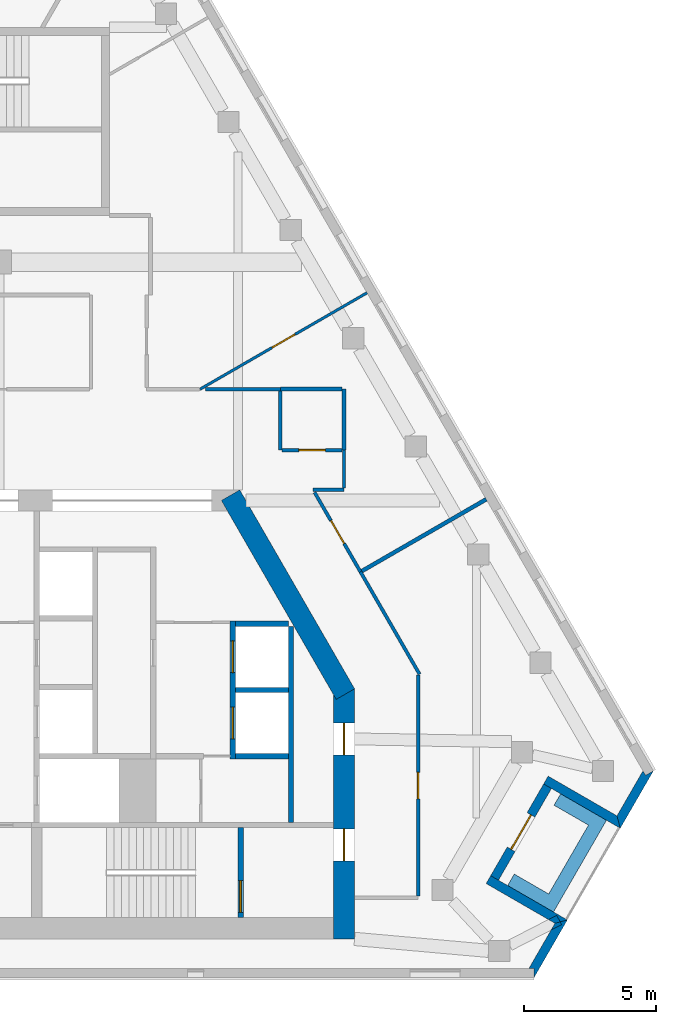
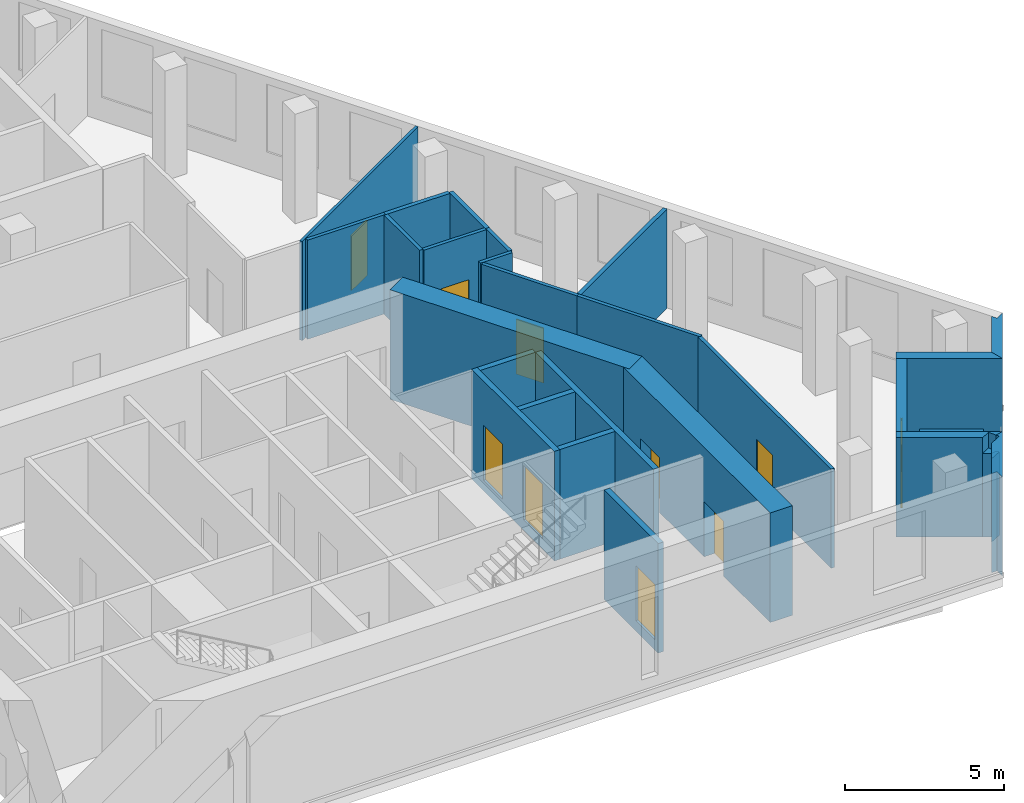
# One storey, part 5 of 8: 28 walls, 10 doors, 10 openings.
"""IFC4 building model written with IfcOpenShell, lengths in metres."""

import ifcopenshell
import ifcopenshell.guid

model = None  # the IFC model being written
_history = None  # IfcOwnerHistory: only IFC2X3 demands one
_inside = {}  # id of a spatial element -> (the spatial element, [elements in it])
_under = {}  # id of a project, library or spatial element -> (it, [spatial elements below it])
_declared = {}  # id of a project -> (the project, [libraries it declares])
_typed = {}  # id of a type object -> (the type object, [elements of that type])
_made_of = {}  # id of a material, layer set ... -> (it, [elements and type objects made of it])


def new_model(schema):
    """Start an empty IFC model of exactly this schema.

    Asked for "IFC4X3", IfcOpenShell would pick the latest addendum, in which some entities
    have other attributes; the version numbers below select the first issue.
    IFC2X3 requires an IfcOwnerHistory on every rooted entity: one is made here for all.
    """
    global model, _history
    if schema == "IFC4X3":
        model = ifcopenshell.file(schema_version=(4, 3, 0, 0))
    else:
        model = ifcopenshell.file(schema=schema)
    _inside.clear()
    _under.clear()
    _declared.clear()
    _typed.clear()
    _made_of.clear()
    _history = None
    if model.schema == "IFC2X3":
        org = make("IfcOrganization", Name="unknown")
        user = make(
            "IfcPersonAndOrganization",
            ThePerson=make("IfcPerson", FamilyName="unknown"),
            TheOrganization=org,
        )
        app = make(
            "IfcApplication",
            ApplicationDeveloper=org,
            Version="unknown",
            ApplicationFullName="unknown",
            ApplicationIdentifier="unknown",
        )
        _history = make(
            "IfcOwnerHistory",
            OwningUser=user,
            OwningApplication=app,
            ChangeAction="ADDED",
            CreationDate=0,
        )
    return model


def make(cls, **values):
    """One entity of the class cls with the attributes given. An attribute that is None is left unset."""
    return model.create_entity(
        cls, **{name: value for name, value in values.items() if value is not None}
    )


def rooted(cls, **values):
    """An entity with a GlobalId (a new one), such as an element, a storey or a relation."""
    return make(cls, GlobalId=ifcopenshell.guid.new(), OwnerHistory=_history, **values)


def si_unit(unit_type, name, prefix=None):
    """IfcSIUnit, for example si_unit("LENGTHUNIT", "METRE", prefix="MILLI")."""
    return make("IfcSIUnit", UnitType=unit_type, Prefix=prefix, Name=name)


def assignment(units):
    """IfcUnitAssignment: the units of a project."""
    return None if units is None else make("IfcUnitAssignment", Units=units)


def point(xyz):
    """IfcCartesianPoint."""
    return None if xyz is None else make("IfcCartesianPoint", Coordinates=xyz)


def direction(xyz):
    """IfcDirection."""
    return None if xyz is None else make("IfcDirection", DirectionRatios=xyz)


def frame(location, z_axis=None, x_axis=None):
    """IfcAxis2Placement3D, a coordinate frame: its origin and axes. An axis left out is left unset."""
    return make(
        "IfcAxis2Placement3D",
        Location=point(location),
        Axis=direction(z_axis),
        RefDirection=direction(x_axis),
    )


def frame_2d(location, x_axis=None):
    """IfcAxis2Placement2D, a coordinate frame in the plane: its origin and x axis."""
    return make(
        "IfcAxis2Placement2D", Location=point(location), RefDirection=direction(x_axis)
    )


def origin():
    """The frame at (0, 0, 0) with its axes left unset."""
    return frame((0.0, 0.0, 0.0))


def place(relative_to, where):
    """IfcLocalPlacement: puts the frame where relative to a parent placement (None: the world)."""
    return make(
        "IfcLocalPlacement", PlacementRelTo=relative_to, RelativePlacement=where
    )


def context(
    kind, dimensions, precision=None, world=None, true_north=None, identifier=None
):
    """IfcGeometricRepresentationContext, for example the 3D "Model" context."""
    return make(
        "IfcGeometricRepresentationContext",
        ContextIdentifier=identifier,
        ContextType=kind,
        CoordinateSpaceDimension=dimensions,
        Precision=precision,
        WorldCoordinateSystem=world,
        TrueNorth=true_north,
    )


def subcontext(parent, identifier, kind, view, scale=None):
    """IfcGeometricRepresentationSubContext, for example "Body" below "Model"."""
    return make(
        "IfcGeometricRepresentationSubContext",
        ContextIdentifier=identifier,
        ContextType=kind,
        ParentContext=parent,
        TargetScale=scale,
        TargetView=view,
    )


def project(units=None, contexts=None):
    """IfcProject with its units and contexts."""
    return rooted(
        "IfcProject",
        Name="project",
        RepresentationContexts=contexts,
        UnitsInContext=assignment(units),
    )


def spatial(cls, under=None, at=None, **own):
    """A site, building, storey or space (cls), placed at a placement, below another one or the project."""
    s = rooted(cls, ObjectPlacement=at, **own)
    if under is not None:
        _under.setdefault(under.id(), (under, []))[1].append(s)
    return s


def polyline(points):
    """IfcPolyline through the points."""
    return make("IfcPolyline", Points=[point(p) for p in points])


def profile(cls, at=None, kind="AREA", **sizes):
    """A parametric profile (cls). Its sizes go by their IFC names, for example OverallWidth=200.0."""
    return make(cls, ProfileType=kind, Position=at, **sizes)


def rectangle(**sizes):
    """IfcRectangleProfileDef."""
    return profile("IfcRectangleProfileDef", **sizes)


def outline(outer, holes=None, kind="AREA"):
    """IfcArbitraryClosedProfileDef: a profile drawn as a closed curve; with holes, ...WithVoids."""
    if holes is None:
        return make("IfcArbitraryClosedProfileDef", ProfileType=kind, OuterCurve=outer)
    return make(
        "IfcArbitraryProfileDefWithVoids",
        ProfileType=kind,
        OuterCurve=outer,
        InnerCurves=holes,
    )


def extrude(swept, where, along, depth):
    """IfcExtrudedAreaSolid: the profile swept, set in the frame where, extruded along a direction by depth."""
    return make(
        "IfcExtrudedAreaSolid",
        SweptArea=swept,
        Position=where,
        ExtrudedDirection=direction(along),
        Depth=depth,
    )


def shape(context_of_items, identifier, shape_type, items):
    """IfcShapeRepresentation: the items that make up one representation, for example the "Body"."""
    return make(
        "IfcShapeRepresentation",
        ContextOfItems=context_of_items,
        RepresentationIdentifier=identifier,
        RepresentationType=shape_type,
        Items=items,
    )


def material(Name=None, Category=None):
    """IfcMaterial."""
    return make("IfcMaterial", Name=Name, Category=Category)


def layer(
    of_material, thickness, ventilated=None, Name=None, Category=None, Priority=None
):
    """IfcMaterialLayer: one layer of a wall or slab, of a material (None: an air gap)."""
    return make(
        "IfcMaterialLayer",
        Material=of_material,
        LayerThickness=thickness,
        IsVentilated=ventilated,
        Name=Name,
        Category=Category,
        Priority=Priority,
    )


def layer_set(layers, Name=None):
    """IfcMaterialLayerSet."""
    return make("IfcMaterialLayerSet", MaterialLayers=layers, LayerSetName=Name)


def made_of(thing, what):
    """Note that an element or type object is made of a material, layer set ...; save() writes the relation."""
    if what is not None:
        _made_of.setdefault(what.id(), (what, []))[1].append(thing)
    return thing


def type_object(cls, material=None, **own):
    """A type object (cls), such as IfcWallType, which elements share."""
    return made_of(rooted(cls, **own), material)


def element(
    cls,
    number,
    at=None,
    inside=None,
    cuts=None,
    type_object=None,
    material=None,
    context=None,
    identifier="Body",
    shape_type=None,
    held_by="IfcProductDefinitionShape",
    body=None,
    shapes=None,
    **own,
):
    """One element of the class cls, such as IfcWall. Its Tag is "e" and its number.

    at: its placement. inside: the storey or other place that contains it. cuts: it is an
    opening in that element (IfcRelVoidsElement). A single representation is given by context,
    identifier, shape_type and body (its items); several are given by shapes. held_by: the class
    of the entity that holds the representations. save() writes the other relations.
    """
    e = rooted(cls, Tag="e%d" % number, ObjectPlacement=at, **own)
    if body is not None:
        shapes = [shape(context, identifier, shape_type, body)]
    if shapes is not None:
        e.Representation = make(held_by, Representations=shapes)
    if inside is not None:
        _inside.setdefault(inside.id(), (inside, []))[1].append(e)
    if cuts is not None:
        rooted(
            "IfcRelVoidsElement", RelatingBuildingElement=cuts, RelatedOpeningElement=e
        )
    if type_object is not None:
        _typed.setdefault(type_object.id(), (type_object, []))[1].append(e)
    return made_of(e, material)


def fill(opening, filler):
    """IfcRelFillsElement: the door or window that sits in an opening."""
    return rooted(
        "IfcRelFillsElement",
        RelatingOpeningElement=opening,
        RelatedBuildingElement=filler,
    )


def aggregate(whole, parts):
    """IfcRelAggregates: a whole, such as a stair, and the parts it consists of."""
    return rooted("IfcRelAggregates", RelatingObject=whole, RelatedObjects=parts)


def save(model, path):
    """Write the relations noted so far, then the file.

    IfcRelAggregates (storeys below a building ...), IfcRelContainedInSpatialStructure (elements
    in a storey), IfcRelDefinesByType, IfcRelAssociatesMaterial and IfcRelDeclares: one each for
    every whole, place, type object, material and project.
    """
    for whole, parts in _under.values():
        aggregate(whole, parts)
    for where, things in _inside.values():
        rooted(
            "IfcRelContainedInSpatialStructure",
            RelatedElements=things,
            RelatingStructure=where,
        )
    for kind, things in _typed.values():
        rooted("IfcRelDefinesByType", RelatedObjects=things, RelatingType=kind)
    for what, things in _made_of.values():
        rooted("IfcRelAssociatesMaterial", RelatedObjects=things, RelatingMaterial=what)
    for by, libraries in _declared.values():
        rooted("IfcRelDeclares", RelatingContext=by, RelatedDefinitions=libraries)
    model.write(path)


model = new_model("IFC4")

# Units and contexts
model_context = context("Model", 3, precision=1e-05, world=origin(), true_north=direction((0.0, 1.0)))
body_context = subcontext(model_context, "Body", "Model", "MODEL_VIEW")
ifc_project = project(units=[si_unit("LENGTHUNIT", "METRE"), si_unit("AREAUNIT", "SQUARE_METRE"), si_unit("VOLUMEUNIT", "CUBIC_METRE"), si_unit("PLANEANGLEUNIT", "RADIAN"), si_unit("MASSUNIT", "GRAM", prefix="KILO")], contexts=[model_context])

# Site, building, storey
site_placement = place(None, origin())
site = spatial("IfcSite", under=ifc_project, at=site_placement, CompositionType="ELEMENT")
building_placement = place(site_placement, origin())
building = spatial("IfcBuilding", under=site, at=building_placement, Name="Fogline Exchange Tower", CompositionType="ELEMENT")
storey_placement = place(building_placement, frame((0.0, 0.0, 314.10009765625)))
storey = spatial("IfcBuildingStorey", under=building, at=storey_placement, Name="L71", CompositionType="ELEMENT", Elevation=314.10009765625)

# Wall
ifc_material_1 = material(Name="Concrete C40", Category="concrete")
ifc_layer_1 = layer(ifc_material_1, 0.199951171875)
ifc_layer_set_1 = layer_set([ifc_layer_1], Name="CW20")
wall_type_1 = type_object("IfcWallType", Name="CW20", PredefinedType="SOLIDWALL", material=ifc_layer_set_1)
wall_1_placement = place(storey_placement, frame((11.0, 5.85009765625, 0.0), z_axis=(0.0, 0.0, 1.0), x_axis=(0.0, 1.0, 0.0)))
element("IfcWall", 1, at=wall_1_placement, inside=storey, type_object=wall_type_1, Name="Service room wall", PredefinedType="SOLIDWALL", context=body_context, shape_type="SweptSolid", body=[
    extrude(rectangle(XDim=7.39990234375, YDim=0.199951171875, at=frame_2d((3.699951171875, 0.0))), origin(), (0.0, 0.0, 1.0), 3.7998046875),
])

# Wall, opening, door
ifc_layer_2 = layer(ifc_material_1, 0.199951171875)
ifc_layer_set_2 = layer_set([ifc_layer_2], Name="CW20R")
wall_type_2 = type_object("IfcWallType", Name="CW20R", PredefinedType="SOLIDWALL", material=ifc_layer_set_2)
wall_2_placement = place(storey_placement, frame((9.10009765625, 2.25, -0.400146484375), z_axis=(0.0, 0.0, 1.0), x_axis=(0.0, 1.0, 0.0)))
wall_2 = element("IfcWall", 2, at=wall_2_placement, inside=storey, type_object=wall_type_2, Name="Stair enclosure wall", PredefinedType="SOLIDWALL", context=body_context, shape_type="SweptSolid", body=[
    extrude(rectangle(XDim=3.39990234375, YDim=0.199951171875, at=frame_2d((1.699951171875, 0.0))), origin(), (0.0, 0.0, 1.0), 4.199951171875),
])
opening_1_placement = place(wall_2_placement, frame((0.199951171875, 0.0, 0.39990234375)))
opening_1 = element("IfcOpeningElement", 3, at=opening_1_placement, cuts=wall_2, Name="Opening T22-C016", PredefinedType="OPENING", context=body_context, shape_type="SweptSolid", body=[
    extrude(rectangle(XDim=1.199951171875, YDim=2.10009765625, at=frame_2d((0.60009765625, 1.050048828125))), frame((0.0, 0.10986328125, 0.0), z_axis=(0.0, -1.0, 0.0), x_axis=(1.0, 0.0, 0.0)), (0.0, 0.0, 1.0), 0.219970703125),
])
ifc_material_2 = material(Name="Steel and timber fire door", Category="steel")
door_type_1 = type_object("IfcDoorType", Name="D-ST1", OperationType="SINGLE_SWING_LEFT", PredefinedType="DOOR", material=ifc_material_2)
door_1_placement = place(opening_1_placement, origin())
door_1 = element("IfcDoor", 4, at=door_1_placement, inside=storey, type_object=door_type_1, Name="Stair door ST2", OperationType="SINGLE_SWING_LEFT", OverallHeight=2.10009765625, OverallWidth=1.199951171875, PredefinedType="DOOR", context=body_context, shape_type="SweptSolid", body=[
    extrude(rectangle(XDim=1.199951171875, YDim=2.10009765625, at=frame_2d((0.60009765625, 1.050048828125))), frame((0.0, 0.02490234375, 0.0), z_axis=(0.0, -1.0, 0.0), x_axis=(1.0, 0.0, 0.0)), (0.0, 0.0, 1.0), 0.050048828125),
])
fill(opening_1, door_1)

# Wall, openings, doors
ifc_layer_3 = layer(ifc_material_1, 0.199951171875)
ifc_layer_set_3 = layer_set([ifc_layer_3], Name="CW20S")
wall_type_3 = type_object("IfcWallType", Name="CW20S", PredefinedType="SOLIDWALL", material=ifc_layer_set_3)
wall_3_placement = place(storey_placement, frame((8.800048828125, 8.25, -0.400146484375), z_axis=(0.0, 0.0, 1.0), x_axis=(0.0, 1.0, 0.0)))
wall_3 = element("IfcWall", 5, at=wall_3_placement, inside=storey, type_object=wall_type_3, Name="Lift shaft wall", PredefinedType="SOLIDWALL", context=body_context, shape_type="SweptSolid", body=[
    extrude(rectangle(XDim=5.199951171875, YDim=0.199951171875, at=frame_2d((2.60009765625, 0.0))), origin(), (0.0, 0.0, 1.0), 4.199951171875),
])
opening_2_placement = place(wall_3_placement, frame((0.75, 0.0, 0.39990234375)))
opening_2 = element("IfcOpeningElement", 6, at=opening_2_placement, cuts=wall_3, Name="Opening T22-LD02", PredefinedType="OPENING", context=body_context, shape_type="SweptSolid", body=[
    extrude(rectangle(XDim=1.199951171875, YDim=2.10009765625, at=frame_2d((0.60009765625, 1.050048828125))), frame((0.0, 0.10986328125, 0.0), z_axis=(0.0, -1.0, 0.0), x_axis=(1.0, 0.0, 0.0)), (0.0, 0.0, 1.0), 0.219970703125),
])
opening_3_placement = place(wall_3_placement, frame((3.25, 0.0, 0.39990234375)))
opening_3 = element("IfcOpeningElement", 7, at=opening_3_placement, cuts=wall_3, Name="Opening T22-LD03", PredefinedType="OPENING", context=body_context, shape_type="SweptSolid", body=[
    extrude(rectangle(XDim=1.199951171875, YDim=2.10009765625, at=frame_2d((0.60009765625, 1.050048828125))), frame((0.0, 0.10986328125, 0.0), z_axis=(0.0, -1.0, 0.0), x_axis=(1.0, 0.0, 0.0)), (0.0, 0.0, 1.0), 0.219970703125),
])
door_type_2 = type_object("IfcDoorType", Name="LD1", OperationType="SLIDING_TO_LEFT", PredefinedType="DOOR", material=ifc_material_2)
door_2_placement = place(opening_2_placement, origin())
door_2 = element("IfcDoor", 8, at=door_2_placement, inside=storey, type_object=door_type_2, Name="Landing door HR1", OperationType="SLIDING_TO_LEFT", OverallHeight=2.10009765625, OverallWidth=1.199951171875, PredefinedType="DOOR", context=body_context, shape_type="SweptSolid", body=[
    extrude(rectangle(XDim=1.199951171875, YDim=2.10009765625, at=frame_2d((0.60009765625, 1.050048828125))), frame((0.0, 0.02490234375, 0.0), z_axis=(0.0, -1.0, 0.0), x_axis=(1.0, 0.0, 0.0)), (0.0, 0.0, 1.0), 0.050048828125),
])
fill(opening_2, door_2)
door_3_placement = place(opening_3_placement, origin())
door_3 = element("IfcDoor", 9, at=door_3_placement, inside=storey, type_object=door_type_2, Name="Landing door HR2", OperationType="SLIDING_TO_LEFT", OverallHeight=2.10009765625, OverallWidth=1.199951171875, PredefinedType="DOOR", context=body_context, shape_type="SweptSolid", body=[
    extrude(rectangle(XDim=1.199951171875, YDim=2.10009765625, at=frame_2d((0.60009765625, 1.050048828125))), frame((0.0, 0.02490234375, 0.0), z_axis=(0.0, -1.0, 0.0), x_axis=(1.0, 0.0, 0.0)), (0.0, 0.0, 1.0), 0.050048828125),
])
fill(opening_3, door_3)

# Walls
for number, where, z_axis, x_axis, name in (
    (10, (8.89990234375, 8.35009765625, -0.400146484375), (0.0, 0.0, 1.0), (1.0, 0.0, 0.0), "Lift shaft wall"),
    (11, (8.89990234375, 10.85009765625, -0.400146484375), (0.0, 0.0, 1.0), (1.0, 0.0, 0.0), "Lift shaft wall"),
    (12, (8.89990234375, 13.35009765625, -0.400146484375), (0.0, 0.0, 1.0), (1.0, 0.0, 0.0), "Lift shaft wall"),
):
    element("IfcWall", number, at=place(storey_placement, frame(where, z_axis=z_axis, x_axis=x_axis)), inside=storey, type_object=wall_type_3, Name=name, PredefinedType="SOLIDWALL", context=body_context, shape_type="SweptSolid", body=[
        extrude(rectangle(XDim=2.0, YDim=0.199951171875, at=frame_2d((1.0, 0.0))), origin(), (0.0, 0.0, 1.0), 4.199951171875),
    ])
ifc_material_3 = material(Name="Brick masonry", Category="masonry")
ifc_layer_4 = layer(ifc_material_3, 0.340087890625)
ifc_layer_set_4 = layer_set([ifc_layer_4], Name="FW1")
wall_type_4 = type_object("IfcWallType", Name="FW1", PredefinedType="SOLIDWALL", material=ifc_layer_set_4)
wall_4_placement = place(storey_placement, origin())
element("IfcWall", 13, at=wall_4_placement, inside=storey, type_object=wall_type_4, Name="Brick wall L71 SE-c1", PredefinedType="SOLIDWALL", context=body_context, shape_type="SweptSolid", body=[
    extrude(outline(polyline([(20.96484375, 2.041015625), (21.158935546875, 2.093017578125), (21.213134765625, 1.987548828125), (20.81591796875, 1.782958984375), (20.96484375, 2.041015625)])), origin(), (0.0, 0.0, 1.0), 3.199951171875),
])
wall_5_placement = place(storey_placement, origin())
element("IfcWall", 14, at=wall_5_placement, inside=storey, type_object=wall_type_4, Name="Brick wall L71 SE-c1", PredefinedType="SOLIDWALL", context=body_context, shape_type="SweptSolid", body=[
    extrude(outline(polyline([(20.1796875, -0.001220703125), (20.17919921875, -0.0009765625), (20.17919921875, 0.33935546875), (19.982421875, 0.33935546875), (20.81591796875, 1.782958984375), (21.213134765625, 1.987548828125), (21.158935546875, 2.093017578125), (21.4306640625, 2.166015625), (21.430908203125, 2.165771484375), (20.1796875, -0.001220703125)])), origin(), (0.0, 0.0, 1.0), 3.7998046875),
])
wall_6_placement = place(storey_placement, origin())
element("IfcWall", 15, at=wall_6_placement, inside=storey, type_object=wall_type_4, Name="Brick wall L71 SE-s1", PredefinedType="SOLIDWALL", context=body_context, shape_type="SweptSolid", body=[
    extrude(outline(polyline([(20.96533203125, 2.0400390625), (20.71826171875, 2.1826171875), (21.0302734375, 2.343017578125), (21.159423828125, 2.092041015625), (20.96533203125, 2.0400390625)])), origin(), (0.0, 0.0, 1.0), 3.199951171875),
])
wall_7_placement = place(storey_placement, origin())
element("IfcWall", 16, at=wall_7_placement, inside=storey, type_object=wall_type_4, Name="Brick wall L71 SE-s1", PredefinedType="SOLIDWALL", context=body_context, shape_type="SweptSolid", body=[
    extrude(outline(polyline([(18.537109375, 3.8359375), (18.83203125, 3.66552734375), (21.430908203125, 2.1650390625), (21.430908203125, 2.164794921875), (21.159423828125, 2.092041015625), (21.0302734375, 2.343017578125), (20.71826171875, 2.1826171875), (18.366455078125, 3.540283203125), (18.537109375, 3.8359375)])), origin(), (0.0, 0.0, 1.0), 3.7998046875),
])

# Wall, opening, door
wall_8_placement = place(storey_placement, frame((18.6845703125, 3.75, 0.0), z_axis=(0.0, 0.0, 1.0), x_axis=(0.49999894854, 0.866026010844, 0.0)))
wall_8 = element("IfcWall", 17, at=wall_8_placement, inside=storey, type_object=wall_type_4, Name="Brick wall L71 SE-bk", PredefinedType="SOLIDWALL", context=body_context, shape_type="SweptSolid", body=[
    extrude(rectangle(XDim=4.0, YDim=0.340087890625, at=frame_2d((2.0, 0.0))), origin(), (0.0, 0.0, 1.0), 3.7998046875),
])
opening_4_placement = place(wall_8_placement, frame((1.25, 0.0, 0.0)))
opening_4 = element("IfcOpeningElement", 18, at=opening_4_placement, cuts=wall_8, Name="Opening T22-E081", PredefinedType="OPENING", context=body_context, shape_type="SweptSolid", body=[
    extrude(rectangle(XDim=1.5, YDim=2.39990234375, at=frame_2d((0.75, 1.199951171875))), frame((0.0, 0.18017578125, 0.0), z_axis=(0.0, -1.0, 0.0), x_axis=(1.0, 0.0, 0.0)), (0.0, 0.0, 1.0), 0.360107421875),
])
ifc_material_4 = material(Name="Aluminium and glass", Category="aluminium")
door_type_3 = type_object("IfcDoorType", Name="ED4", OperationType="SINGLE_SWING_LEFT", PredefinedType="DOOR", material=ifc_material_4)
door_4_placement = place(opening_4_placement, frame((1.5, 0.0, 0.0), z_axis=(0.0, 0.0, 1.0), x_axis=(-1.0, 0.0, 0.0)))
door_4 = element("IfcDoor", 19, at=door_4_placement, inside=storey, type_object=door_type_3, Name="Balcony door L71 SE", OperationType="DOUBLE_DOOR_SINGLE_SWING", OverallHeight=2.39990234375, OverallWidth=1.5, PredefinedType="DOOR", context=body_context, shape_type="SweptSolid", body=[
    extrude(rectangle(XDim=1.5, YDim=2.39990234375, at=frame_2d((0.75, 1.199951171875))), frame((0.0, 0.02490234375, 0.0), z_axis=(0.0, -1.0, 0.0), x_axis=(1.0, 0.0, 0.0)), (0.0, 0.0, 1.0), 0.050048828125),
])
fill(opening_4, door_4)

# Walls
wall_9_placement = place(storey_placement, origin())
element("IfcWall", 20, at=wall_9_placement, inside=storey, type_object=wall_type_4, Name="Brick wall L71 SE-s2", PredefinedType="SOLIDWALL", context=body_context, shape_type="SweptSolid", body=[
    extrude(outline(polyline([(23.430419921875, 5.628173828125), (20.831298828125, 7.128662109375), (20.536376953125, 7.298828125), (20.70703125, 7.594482421875), (23.305908203125, 6.093994140625), (23.4306640625, 5.62841796875), (23.430419921875, 5.628173828125)])), origin(), (0.0, 0.0, 1.0), 3.7998046875),
])
wall_10_placement = place(storey_placement, origin())
element("IfcWall", 21, at=wall_10_placement, inside=storey, type_object=wall_type_4, Name="Brick wall L71 SE-c2", PredefinedType="SOLIDWALL", context=body_context, shape_type="SweptSolid", body=[
    extrude(outline(polyline([(24.287109375, 7.79541015625), (24.385498046875, 7.625), (24.680419921875, 7.79541015625), (24.680908203125, 7.794921875), (23.4296875, 5.6279296875), (23.429443359375, 5.6279296875), (23.3046875, 6.09375), (24.287109375, 7.79541015625)])), origin(), (0.0, 0.0, 1.0), 3.7998046875),
])
ifc_material_5 = material(Name="Concrete C30", Category="concrete")
ifc_layer_5 = layer(ifc_material_5, 0.199951171875)
ifc_layer_set_5 = layer_set([ifc_layer_5], Name="PL1")
wall_type_5 = type_object("IfcWallType", Name="PL1", PredefinedType="USERDEFINED", material=ifc_layer_set_5)
wall_11_placement = place(storey_placement, origin())
element("IfcWall", 22, at=wall_11_placement, inside=storey, type_object=wall_type_5, Name="PLANTER balcony L71 SE", ObjectType="PLANTER", PredefinedType="USERDEFINED", context=body_context, shape_type="SweptSolid", body=[
    extrude(outline(polyline([(19.177978515625, 3.465087890625), (20.477294921875, 2.715087890625), (20.477294921875, 2.715087890625), (20.91015625, 2.465087890625), (22.66015625, 5.49609375), (22.91015625, 5.92919921875), (21.177978515625, 6.92919921875), (20.927978515625, 6.49609375), (22.227294921875, 5.74609375), (20.727294921875, 3.148193359375), (19.427978515625, 3.898193359375), (19.177978515625, 3.465087890625)])), origin(), (0.0, 0.0, 1.0), 1.099853515625),
])

# Wall, opening, door
ifc_material_6 = material(Name="Plasterboard partition, 2 layers each side on steel studs", Category="steel")
ifc_layer_6 = layer(ifc_material_6, 0.10009765625)
ifc_layer_set_6 = layer_set([ifc_layer_6], Name="PW1")
wall_type_6 = type_object("IfcWallType", Name="PW1", PredefinedType="PARTITIONING", material=ifc_layer_set_6)
wall_12_placement = place(storey_placement, frame((7.56640625, 22.199951171875, 0.0), z_axis=(0.0, 0.0, 1.0), x_axis=(0.866023581503, 0.500003156271, 0.0)))
wall_12 = element("IfcWall", 23, at=wall_12_placement, inside=storey, type_object=wall_type_6, Name="wall-L71-W028", PredefinedType="PARTITIONING", context=body_context, shape_type="SweptSolid", body=[
    extrude(rectangle(XDim=7.27783203125, YDim=0.10009765625, at=frame_2d((3.638916015625, 0.0))), origin(), (0.0, 0.0, 1.0), 3.7998046875),
])
opening_5_placement = place(wall_12_placement, frame((3.138916015625, 0.0, 0.0)))
opening_5 = element("IfcOpeningElement", 24, at=opening_5_placement, cuts=wall_12, Name="Opening T22-D008", PredefinedType="OPENING", context=body_context, shape_type="SweptSolid", body=[
    extrude(rectangle(XDim=1.0, YDim=2.10009765625, at=frame_2d((0.5, 1.050048828125))), frame((0.0, 0.06005859375, 0.0), z_axis=(0.0, -1.0, 0.0), x_axis=(1.0, 0.0, 0.0)), (0.0, 0.0, 1.0), 0.1201171875),
])
ifc_material_7 = material(Name="Timber door leaf with steel frame", Category="steel")
door_type_4 = type_object("IfcDoorType", Name="D1", OperationType="SINGLE_SWING_LEFT", PredefinedType="DOOR", material=ifc_material_7)
door_5_placement = place(opening_5_placement, frame((1.0, 0.0, 0.0), z_axis=(0.0, 0.0, 1.0), x_axis=(-1.0, 0.0, 0.0)))
door_5 = element("IfcDoor", 25, at=door_5_placement, inside=storey, type_object=door_type_4, Name="door-L71-D008", OperationType="SINGLE_SWING_RIGHT", OverallHeight=2.10009765625, OverallWidth=1.0, PredefinedType="DOOR", context=body_context, shape_type="SweptSolid", body=[
    extrude(rectangle(XDim=1.0, YDim=2.10009765625, at=frame_2d((0.5, 1.050048828125))), frame((0.0, 0.02490234375, 0.0), z_axis=(0.0, -1.0, 0.0), x_axis=(1.0, 0.0, 0.0)), (0.0, 0.0, 1.0), 0.050048828125),
])
fill(opening_5, door_5)

ifc_material_8 = material(Name="Plasterboard corridor partition with mineral wool, 2 layers each side")
ifc_layer_7 = layer(ifc_material_8, 0.125)
ifc_layer_set_7 = layer_set([ifc_layer_7], Name="PW2")
wall_type_7 = type_object("IfcWallType", Name="PW2", PredefinedType="PARTITIONING", material=ifc_layer_set_7)
wall_13_placement = place(storey_placement, frame((11.890869140625, 18.305908203125, 0.0), z_axis=(0.0, 0.0, 1.0), x_axis=(0.499980616072, -0.866036594811, 0.0)))
wall_13 = element("IfcWall", 26, at=wall_13_placement, inside=storey, type_object=wall_type_7, Name="wall-L71-W001", PredefinedType="PARTITIONING", context=body_context, shape_type="SweptSolid", body=[
    extrude(rectangle(XDim=3.465576171875, YDim=0.125, at=frame_2d((1.73291015625, 0.0))), origin(), (0.0, 0.0, 1.0), 3.7998046875),
])
opening_6_placement = place(wall_13_placement, frame((1.232666015625, 0.0, 0.0)))
opening_6 = element("IfcOpeningElement", 27, at=opening_6_placement, cuts=wall_13, Name="Opening T22-D001", PredefinedType="OPENING", context=body_context, shape_type="SweptSolid", body=[
    extrude(rectangle(XDim=1.0, YDim=2.10009765625, at=frame_2d((0.5, 1.050048828125))), frame((0.0, 0.072509765625, 0.0), z_axis=(0.0, -1.0, 0.0), x_axis=(1.0, 0.0, 0.0)), (0.0, 0.0, 1.0), 0.14501953125),
])
ifc_material_9 = material(Name="Fire-rated timber door leaf with steel frame", Category="steel")
door_type_5 = type_object("IfcDoorType", Name="D3", OperationType="SINGLE_SWING_LEFT", PredefinedType="DOOR", material=ifc_material_9)
door_6_placement = place(opening_6_placement, origin())
door_6 = element("IfcDoor", 28, at=door_6_placement, inside=storey, type_object=door_type_5, Name="door-L71-D001", OperationType="SINGLE_SWING_LEFT", OverallHeight=2.10009765625, OverallWidth=1.0, PredefinedType="DOOR", context=body_context, shape_type="SweptSolid", body=[
    extrude(rectangle(XDim=1.0, YDim=2.10009765625, at=frame_2d((0.5, 1.050048828125))), frame((0.0, 0.02490234375, 0.0), z_axis=(0.0, -1.0, 0.0), x_axis=(1.0, 0.0, 0.0)), (0.0, 0.0, 1.0), 0.050048828125),
])
fill(opening_6, door_6)

# Wall
wall_14_placement = place(storey_placement, frame((13.62353515625, 15.3046875, 0.0), z_axis=(0.0, 0.0, 1.0), x_axis=(0.499994034198, -0.866028848114, 0.0)))
element("IfcWall", 29, at=wall_14_placement, inside=storey, type_object=wall_type_7, Name="wall-L71-W002", PredefinedType="PARTITIONING", context=body_context, shape_type="SweptSolid", body=[
    extrude(rectangle(XDim=4.46142578125, YDim=0.125, at=frame_2d((2.230712890625, 0.0))), origin(), (0.0, 0.0, 1.0), 3.7998046875),
])

# Wall, opening, door
wall_15_placement = place(storey_placement, frame((15.800048828125, 11.409912109375, 0.0), z_axis=(0.0, 0.0, 1.0), x_axis=(0.0, -1.0, 0.0)))
wall_15 = element("IfcWall", 30, at=wall_15_placement, inside=storey, type_object=wall_type_7, Name="wall-L71-W003", PredefinedType="PARTITIONING", context=body_context, shape_type="SweptSolid", body=[
    extrude(rectangle(XDim=8.347412109375, YDim=0.125, at=frame_2d((4.173828125, 0.0))), origin(), (0.0, 0.0, 1.0), 3.7998046875),
])
opening_7_placement = place(wall_15_placement, frame((3.673583984375, 0.0, 0.0)))
opening_7 = element("IfcOpeningElement", 31, at=opening_7_placement, cuts=wall_15, Name="Opening T22-D002", PredefinedType="OPENING", context=body_context, shape_type="SweptSolid", body=[
    extrude(rectangle(XDim=1.0, YDim=2.10009765625, at=frame_2d((0.5, 1.050048828125))), frame((0.0, 0.072509765625, 0.0), z_axis=(0.0, -1.0, 0.0), x_axis=(1.0, 0.0, 0.0)), (0.0, 0.0, 1.0), 0.14501953125),
])
door_7_placement = place(opening_7_placement, origin())
door_7 = element("IfcDoor", 32, at=door_7_placement, inside=storey, type_object=door_type_5, Name="door-L71-D002", OperationType="SINGLE_SWING_RIGHT", OverallHeight=2.10009765625, OverallWidth=1.0, PredefinedType="DOOR", context=body_context, shape_type="SweptSolid", body=[
    extrude(rectangle(XDim=1.0, YDim=2.10009765625, at=frame_2d((0.5, 1.050048828125))), frame((0.0, 0.02490234375, 0.0), z_axis=(0.0, -1.0, 0.0), x_axis=(1.0, 0.0, 0.0)), (0.0, 0.0, 1.0), 0.050048828125),
])
fill(opening_7, door_7)

# Walls
wall_16_placement = place(storey_placement, frame((7.775146484375, 22.199951171875, 0.0), z_axis=(0.0, 0.0, 1.0), x_axis=(1.0, 0.0, 0.0)))
element("IfcWall", 33, at=wall_16_placement, inside=storey, type_object=wall_type_7, Name="wall-L71-W005", PredefinedType="PARTITIONING", context=body_context, shape_type="SweptSolid", body=[
    extrude(rectangle(XDim=2.824951171875, YDim=0.125, at=frame_2d((1.41259765625, 0.0))), origin(), (0.0, 0.0, 1.0), 3.7998046875),
])
wall_17_placement = place(storey_placement, frame((13.0, 19.89990234375, 0.0), z_axis=(0.0, 0.0, 1.0), x_axis=(0.0, -1.0, 0.0)))
element("IfcWall", 34, at=wall_17_placement, inside=storey, type_object=wall_type_7, Name="wall-L71-W006", PredefinedType="PARTITIONING", context=body_context, shape_type="SweptSolid", body=[
    extrude(rectangle(XDim=1.4375, YDim=0.125, at=frame_2d((0.71875, 0.0))), origin(), (0.0, 0.0, 1.0), 3.7998046875),
])
wall_18_placement = place(storey_placement, frame((13.0, 18.39990234375, 0.0), z_axis=(0.0, 0.0, 1.0), x_axis=(-1.0, 0.0, 0.0)))
element("IfcWall", 35, at=wall_18_placement, inside=storey, type_object=wall_type_7, Name="wall-L71-W007", PredefinedType="PARTITIONING", context=body_context, shape_type="SweptSolid", body=[
    extrude(rectangle(XDim=1.16357421875, YDim=0.125, at=frame_2d((0.581787109375, 0.0))), origin(), (0.0, 0.0, 1.0), 3.7998046875),
])
wall_19_placement = place(storey_placement, frame((10.60009765625, 22.12451171875, 0.0), z_axis=(0.0, 0.0, 1.0), x_axis=(0.0, -1.0, 0.0)))
element("IfcWall", 36, at=wall_19_placement, inside=storey, type_object=wall_type_7, Name="wall-L71-W008", PredefinedType="PARTITIONING", context=body_context, shape_type="SweptSolid", body=[
    extrude(rectangle(XDim=2.224609375, YDim=0.125, at=frame_2d((1.1123046875, 0.0))), origin(), (0.0, 0.0, 1.0), 3.7998046875),
])

# Wall, opening, door
wall_20_placement = place(storey_placement, frame((10.66259765625, 19.89990234375, 0.0), z_axis=(0.0, 0.0, 1.0), x_axis=(1.0, 0.0, 0.0)))
wall_20 = element("IfcWall", 37, at=wall_20_placement, inside=storey, type_object=wall_type_7, Name="wall-L71-W009", PredefinedType="PARTITIONING", context=body_context, shape_type="SweptSolid", body=[
    extrude(rectangle(XDim=2.262451171875, YDim=0.125, at=frame_2d((1.13134765625, 0.0))), origin(), (0.0, 0.0, 1.0), 3.7998046875),
])
opening_8_placement = place(wall_20_placement, frame((0.63134765625, 0.0, 0.0)))
opening_8 = element("IfcOpeningElement", 38, at=opening_8_placement, cuts=wall_20, Name="Opening T22-D003", PredefinedType="OPENING", context=body_context, shape_type="SweptSolid", body=[
    extrude(rectangle(XDim=1.0, YDim=2.10009765625, at=frame_2d((0.5, 1.050048828125))), frame((0.0, 0.072509765625, 0.0), z_axis=(0.0, -1.0, 0.0), x_axis=(1.0, 0.0, 0.0)), (0.0, 0.0, 1.0), 0.14501953125),
])
door_8_placement = place(opening_8_placement, origin())
door_8 = element("IfcDoor", 39, at=door_8_placement, inside=storey, type_object=door_type_5, Name="door-L71-D003", OperationType="SINGLE_SWING_LEFT", OverallHeight=2.10009765625, OverallWidth=1.0, PredefinedType="DOOR", context=body_context, shape_type="SweptSolid", body=[
    extrude(rectangle(XDim=1.0, YDim=2.10009765625, at=frame_2d((0.5, 1.050048828125))), frame((0.0, 0.02490234375, 0.0), z_axis=(0.0, -1.0, 0.0), x_axis=(1.0, 0.0, 0.0)), (0.0, 0.0, 1.0), 0.050048828125),
])
fill(opening_8, door_8)

# Walls
ifc_material_10 = material(Name="Plasterboard demising partition with mineral wool and acoustic board")
ifc_layer_8 = layer(ifc_material_10, 0.14990234375)
ifc_layer_set_8 = layer_set([ifc_layer_8], Name="PW3")
wall_type_8 = type_object("IfcWallType", Name="PW3", PredefinedType="PARTITIONING", material=ifc_layer_set_8)
wall_21_placement = place(storey_placement, frame((13.0, 19.89990234375, 0.0), z_axis=(0.0, 0.0, 1.0), x_axis=(0.0, 1.0, 0.0)))
element("IfcWall", 40, at=wall_21_placement, inside=storey, type_object=wall_type_8, Name="wall-L71-W026", PredefinedType="PARTITIONING", context=body_context, shape_type="SweptSolid", body=[
    extrude(rectangle(XDim=2.300048828125, YDim=0.14990234375, at=frame_2d((1.14990234375, 0.0))), origin(), (0.0, 0.0, 1.0), 3.7998046875),
])
wall_22_placement = place(storey_placement, frame((12.925048828125, 22.199951171875, 0.0), z_axis=(0.0, 0.0, 1.0), x_axis=(-1.0, 0.0, 0.0)))
element("IfcWall", 41, at=wall_22_placement, inside=storey, type_object=wall_type_8, Name="wall-L71-W027", PredefinedType="PARTITIONING", context=body_context, shape_type="SweptSolid", body=[
    extrude(rectangle(XDim=2.324951171875, YDim=0.14990234375, at=frame_2d((1.16259765625, 0.0))), origin(), (0.0, 0.0, 1.0), 3.7998046875),
])
wall_23_placement = place(storey_placement, frame((18.369140625, 18.044677734375, 0.0), z_axis=(0.0, 0.0, 1.0), x_axis=(-0.866024235346, -0.500002023789, 0.0)))
element("IfcWall", 42, at=wall_23_placement, inside=storey, type_object=wall_type_8, Name="wall-L71-W029", PredefinedType="PARTITIONING", context=body_context, shape_type="SweptSolid", body=[
    extrude(rectangle(XDim=5.41748046875, YDim=0.14990234375, at=frame_2d((2.708740234375, 0.0))), origin(), (0.0, 0.0, 1.0), 3.7998046875),
])

# Wall, openings, doors
ifc_material_11 = material(Name="Concrete C50", Category="concrete")
ifc_layer_9 = layer(ifc_material_11, 0.800048828125)
ifc_layer_set_9 = layer_set([ifc_layer_9], Name="SW04")
wall_type_9 = type_object("IfcWallType", Name="SW04", PredefinedType="SHEAR", material=ifc_layer_set_9)
wall_24_placement = place(storey_placement, frame((13.0, 1.449951171875, 0.0), z_axis=(0.0, 0.0, 1.0), x_axis=(0.0, 1.0, 0.0)))
wall_24 = element("IfcWall", 43, at=wall_24_placement, inside=storey, type_object=wall_type_9, Name="L71-W902", PredefinedType="SHEAR", context=body_context, shape_type="SweptSolid", body=[
    extrude(rectangle(XDim=9.44189453125, YDim=0.800048828125, at=frame_2d((4.720947265625, 0.0))), origin(), (0.0, 0.0, 1.0), 4.199951171875),
])
opening_9_placement = place(wall_24_placement, frame((2.949951171875, 0.0, 0.0)))
opening_9 = element("IfcOpeningElement", 44, at=opening_9_placement, cuts=wall_24, Name="Opening T22-C015", PredefinedType="OPENING", context=body_context, shape_type="SweptSolid", body=[
    extrude(rectangle(XDim=1.199951171875, YDim=2.10009765625, at=frame_2d((0.60009765625, 1.050048828125))), frame((0.0, 0.41015625, 0.0), z_axis=(0.0, -1.0, 0.0), x_axis=(1.0, 0.0, 0.0)), (0.0, 0.0, 1.0), 0.820068359375),
])
opening_10_placement = place(wall_24_placement, frame((6.949951171875, 0.0, 0.0)))
opening_10 = element("IfcOpeningElement", 45, at=opening_10_placement, cuts=wall_24, Name="Opening T22-C017", PredefinedType="OPENING", context=body_context, shape_type="SweptSolid", body=[
    extrude(rectangle(XDim=1.199951171875, YDim=2.10009765625, at=frame_2d((0.60009765625, 1.050048828125))), frame((0.0, 0.41015625, 0.0), z_axis=(0.0, -1.0, 0.0), x_axis=(1.0, 0.0, 0.0)), (0.0, 0.0, 1.0), 0.820068359375),
])
door_type_6 = type_object("IfcDoorType", Name="D-FR1", OperationType="SINGLE_SWING_RIGHT", PredefinedType="DOOR", material=ifc_material_2)
door_9_placement = place(opening_9_placement, origin())
door_9 = element("IfcDoor", 46, at=door_9_placement, inside=storey, type_object=door_type_6, Name="Front room door ST2", OperationType="SINGLE_SWING_RIGHT", OverallHeight=2.10009765625, OverallWidth=1.199951171875, PredefinedType="DOOR", context=body_context, shape_type="SweptSolid", body=[
    extrude(rectangle(XDim=1.199951171875, YDim=2.10009765625, at=frame_2d((0.60009765625, 1.050048828125))), frame((0.0, 0.02490234375, 0.0), z_axis=(0.0, -1.0, 0.0), x_axis=(1.0, 0.0, 0.0)), (0.0, 0.0, 1.0), 0.050048828125),
])
fill(opening_9, door_9)
door_type_7 = type_object("IfcDoorType", Name="D-SV1", OperationType="SINGLE_SWING_LEFT", PredefinedType="DOOR", material=ifc_material_2)
door_10_placement = place(opening_10_placement, origin())
door_10 = element("IfcDoor", 47, at=door_10_placement, inside=storey, type_object=door_type_7, Name="Service door E", OperationType="SINGLE_SWING_RIGHT", OverallHeight=2.10009765625, OverallWidth=1.199951171875, PredefinedType="DOOR", context=body_context, shape_type="SweptSolid", body=[
    extrude(rectangle(XDim=1.199951171875, YDim=2.10009765625, at=frame_2d((0.60009765625, 1.050048828125))), frame((0.0, 0.02490234375, 0.0), z_axis=(0.0, -1.0, 0.0), x_axis=(1.0, 0.0, 0.0)), (0.0, 0.0, 1.0), 0.050048828125),
])
fill(opening_10, door_10)

# Wall
wall_25_placement = place(storey_placement, frame((13.0537109375, 10.69189453125, 0.0), z_axis=(0.0, 0.0, 1.0), x_axis=(-0.500015780397, 0.866016292776, 0.0)))
element("IfcWall", 48, at=wall_25_placement, inside=storey, type_object=wall_type_9, Name="L71-W903", PredefinedType="SHEAR", context=body_context, shape_type="SweptSolid", body=[
    extrude(rectangle(XDim=8.669677734375, YDim=0.800048828125, at=frame_2d((4.3349609375, 0.0))), origin(), (0.0, 0.0, 1.0), 4.199951171875),
])

save(model, "model.ifc")
